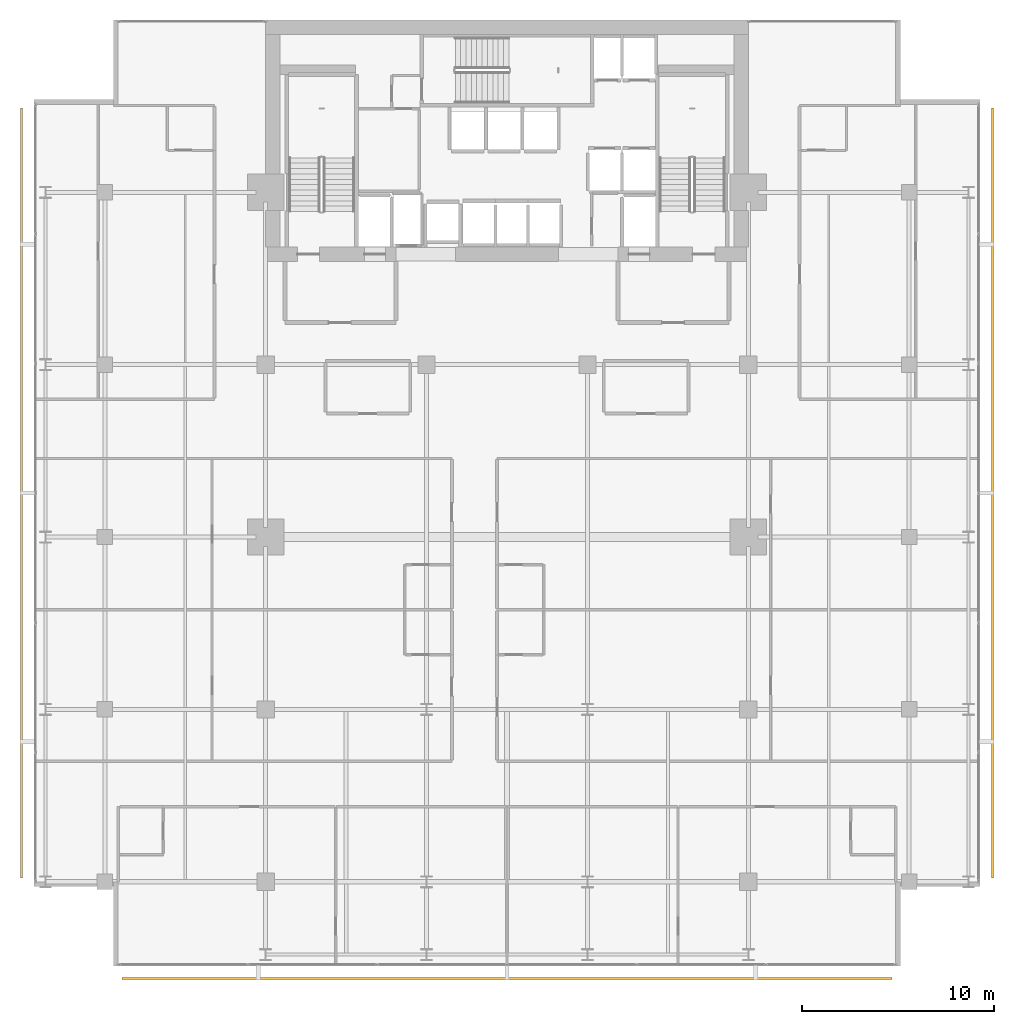
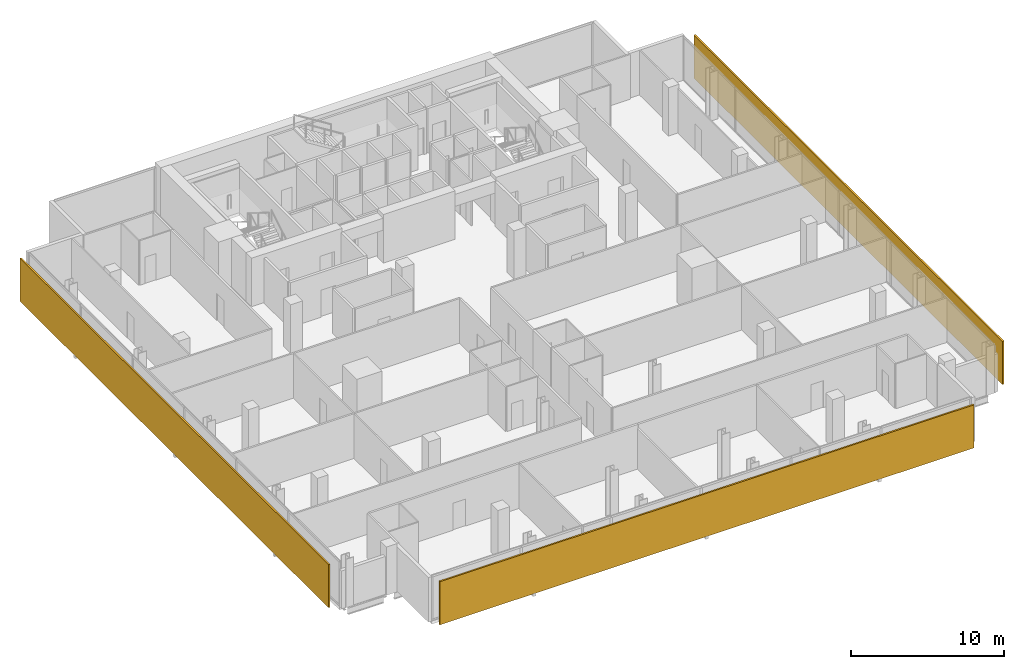
# One storey, part 31 of 32: 3 shading devices.
"""IFC4 building model written with IfcOpenShell, lengths in metres."""

import ifcopenshell
import ifcopenshell.guid

model = None  # the IFC model being written
_history = None  # IfcOwnerHistory: only IFC2X3 demands one
_inside = {}  # id of a spatial element -> (the spatial element, [elements in it])
_under = {}  # id of a project, library or spatial element -> (it, [spatial elements below it])
_declared = {}  # id of a project -> (the project, [libraries it declares])
_typed = {}  # id of a type object -> (the type object, [elements of that type])
_made_of = {}  # id of a material, layer set ... -> (it, [elements and type objects made of it])


def new_model(schema):
    """Start an empty IFC model of exactly this schema.

    Asked for "IFC4X3", IfcOpenShell would pick the latest addendum, in which some entities
    have other attributes; the version numbers below select the first issue.
    IFC2X3 requires an IfcOwnerHistory on every rooted entity: one is made here for all.
    """
    global model, _history
    if schema == "IFC4X3":
        model = ifcopenshell.file(schema_version=(4, 3, 0, 0))
    else:
        model = ifcopenshell.file(schema=schema)
    _inside.clear()
    _under.clear()
    _declared.clear()
    _typed.clear()
    _made_of.clear()
    _history = None
    if model.schema == "IFC2X3":
        org = make("IfcOrganization", Name="unknown")
        user = make(
            "IfcPersonAndOrganization",
            ThePerson=make("IfcPerson", FamilyName="unknown"),
            TheOrganization=org,
        )
        app = make(
            "IfcApplication",
            ApplicationDeveloper=org,
            Version="unknown",
            ApplicationFullName="unknown",
            ApplicationIdentifier="unknown",
        )
        _history = make(
            "IfcOwnerHistory",
            OwningUser=user,
            OwningApplication=app,
            ChangeAction="ADDED",
            CreationDate=0,
        )
    return model


def make(cls, **values):
    """One entity of the class cls with the attributes given. An attribute that is None is left unset."""
    return model.create_entity(
        cls, **{name: value for name, value in values.items() if value is not None}
    )


def rooted(cls, **values):
    """An entity with a GlobalId (a new one), such as an element, a storey or a relation."""
    return make(cls, GlobalId=ifcopenshell.guid.new(), OwnerHistory=_history, **values)


def si_unit(unit_type, name, prefix=None):
    """IfcSIUnit, for example si_unit("LENGTHUNIT", "METRE", prefix="MILLI")."""
    return make("IfcSIUnit", UnitType=unit_type, Prefix=prefix, Name=name)


def assignment(units):
    """IfcUnitAssignment: the units of a project."""
    return None if units is None else make("IfcUnitAssignment", Units=units)


def point(xyz):
    """IfcCartesianPoint."""
    return None if xyz is None else make("IfcCartesianPoint", Coordinates=xyz)


def direction(xyz):
    """IfcDirection."""
    return None if xyz is None else make("IfcDirection", DirectionRatios=xyz)


def frame(location, z_axis=None, x_axis=None):
    """IfcAxis2Placement3D, a coordinate frame: its origin and axes. An axis left out is left unset."""
    return make(
        "IfcAxis2Placement3D",
        Location=point(location),
        Axis=direction(z_axis),
        RefDirection=direction(x_axis),
    )


def frame_2d(location, x_axis=None):
    """IfcAxis2Placement2D, a coordinate frame in the plane: its origin and x axis."""
    return make(
        "IfcAxis2Placement2D", Location=point(location), RefDirection=direction(x_axis)
    )


def origin():
    """The frame at (0, 0, 0) with its axes left unset."""
    return frame((0.0, 0.0, 0.0))


def origin_2d():
    """The frame at (0, 0) in the plane with its x axis left unset."""
    return frame_2d((0.0, 0.0))


def place(relative_to, where):
    """IfcLocalPlacement: puts the frame where relative to a parent placement (None: the world)."""
    return make(
        "IfcLocalPlacement", PlacementRelTo=relative_to, RelativePlacement=where
    )


def context(
    kind, dimensions, precision=None, world=None, true_north=None, identifier=None
):
    """IfcGeometricRepresentationContext, for example the 3D "Model" context."""
    return make(
        "IfcGeometricRepresentationContext",
        ContextIdentifier=identifier,
        ContextType=kind,
        CoordinateSpaceDimension=dimensions,
        Precision=precision,
        WorldCoordinateSystem=world,
        TrueNorth=true_north,
    )


def subcontext(parent, identifier, kind, view, scale=None):
    """IfcGeometricRepresentationSubContext, for example "Body" below "Model"."""
    return make(
        "IfcGeometricRepresentationSubContext",
        ContextIdentifier=identifier,
        ContextType=kind,
        ParentContext=parent,
        TargetScale=scale,
        TargetView=view,
    )


def project(units=None, contexts=None):
    """IfcProject with its units and contexts."""
    return rooted(
        "IfcProject",
        Name="project",
        RepresentationContexts=contexts,
        UnitsInContext=assignment(units),
    )


def spatial(cls, under=None, at=None, **own):
    """A site, building, storey or space (cls), placed at a placement, below another one or the project."""
    s = rooted(cls, ObjectPlacement=at, **own)
    if under is not None:
        _under.setdefault(under.id(), (under, []))[1].append(s)
    return s


def profile(cls, at=None, kind="AREA", **sizes):
    """A parametric profile (cls). Its sizes go by their IFC names, for example OverallWidth=200.0."""
    return make(cls, ProfileType=kind, Position=at, **sizes)


def rectangle(**sizes):
    """IfcRectangleProfileDef."""
    return profile("IfcRectangleProfileDef", **sizes)


def extrude(swept, where, along, depth):
    """IfcExtrudedAreaSolid: the profile swept, set in the frame where, extruded along a direction by depth."""
    return make(
        "IfcExtrudedAreaSolid",
        SweptArea=swept,
        Position=where,
        ExtrudedDirection=direction(along),
        Depth=depth,
    )


def shape(context_of_items, identifier, shape_type, items):
    """IfcShapeRepresentation: the items that make up one representation, for example the "Body"."""
    return make(
        "IfcShapeRepresentation",
        ContextOfItems=context_of_items,
        RepresentationIdentifier=identifier,
        RepresentationType=shape_type,
        Items=items,
    )


def material(Name=None, Category=None):
    """IfcMaterial."""
    return make("IfcMaterial", Name=Name, Category=Category)


def layer(
    of_material, thickness, ventilated=None, Name=None, Category=None, Priority=None
):
    """IfcMaterialLayer: one layer of a wall or slab, of a material (None: an air gap)."""
    return make(
        "IfcMaterialLayer",
        Material=of_material,
        LayerThickness=thickness,
        IsVentilated=ventilated,
        Name=Name,
        Category=Category,
        Priority=Priority,
    )


def layer_set(layers, Name=None):
    """IfcMaterialLayerSet."""
    return make("IfcMaterialLayerSet", MaterialLayers=layers, LayerSetName=Name)


def made_of(thing, what):
    """Note that an element or type object is made of a material, layer set ...; save() writes the relation."""
    if what is not None:
        _made_of.setdefault(what.id(), (what, []))[1].append(thing)
    return thing


def type_object(cls, material=None, **own):
    """A type object (cls), such as IfcWallType, which elements share."""
    return made_of(rooted(cls, **own), material)


def element(
    cls,
    number,
    at=None,
    inside=None,
    cuts=None,
    type_object=None,
    material=None,
    context=None,
    identifier="Body",
    shape_type=None,
    held_by="IfcProductDefinitionShape",
    body=None,
    shapes=None,
    **own,
):
    """One element of the class cls, such as IfcWall. Its Tag is "e" and its number.

    at: its placement. inside: the storey or other place that contains it. cuts: it is an
    opening in that element (IfcRelVoidsElement). A single representation is given by context,
    identifier, shape_type and body (its items); several are given by shapes. held_by: the class
    of the entity that holds the representations. save() writes the other relations.
    """
    e = rooted(cls, Tag="e%d" % number, ObjectPlacement=at, **own)
    if body is not None:
        shapes = [shape(context, identifier, shape_type, body)]
    if shapes is not None:
        e.Representation = make(held_by, Representations=shapes)
    if inside is not None:
        _inside.setdefault(inside.id(), (inside, []))[1].append(e)
    if cuts is not None:
        rooted(
            "IfcRelVoidsElement", RelatingBuildingElement=cuts, RelatedOpeningElement=e
        )
    if type_object is not None:
        _typed.setdefault(type_object.id(), (type_object, []))[1].append(e)
    return made_of(e, material)


def aggregate(whole, parts):
    """IfcRelAggregates: a whole, such as a stair, and the parts it consists of."""
    return rooted("IfcRelAggregates", RelatingObject=whole, RelatedObjects=parts)


def save(model, path):
    """Write the relations noted so far, then the file.

    IfcRelAggregates (storeys below a building ...), IfcRelContainedInSpatialStructure (elements
    in a storey), IfcRelDefinesByType, IfcRelAssociatesMaterial and IfcRelDeclares: one each for
    every whole, place, type object, material and project.
    """
    for whole, parts in _under.values():
        aggregate(whole, parts)
    for where, things in _inside.values():
        rooted(
            "IfcRelContainedInSpatialStructure",
            RelatedElements=things,
            RelatingStructure=where,
        )
    for kind, things in _typed.values():
        rooted("IfcRelDefinesByType", RelatedObjects=things, RelatingType=kind)
    for what, things in _made_of.values():
        rooted("IfcRelAssociatesMaterial", RelatedObjects=things, RelatingMaterial=what)
    for by, libraries in _declared.values():
        rooted("IfcRelDeclares", RelatingContext=by, RelatedDefinitions=libraries)
    model.write(path)


model = new_model("IFC4")

# Units and contexts
model_context = context("Model", 3, precision=1e-05, world=origin(), true_north=direction((0.0, 1.0)))
body_context = subcontext(model_context, "Body", "Model", "MODEL_VIEW")
ifc_project = project(units=[si_unit("LENGTHUNIT", "METRE"), si_unit("AREAUNIT", "SQUARE_METRE"), si_unit("VOLUMEUNIT", "CUBIC_METRE"), si_unit("PLANEANGLEUNIT", "RADIAN"), si_unit("MASSUNIT", "GRAM", prefix="KILO")], contexts=[model_context])

# Site, building, storey
site_placement = place(None, origin())
site = spatial("IfcSite", under=ifc_project, at=site_placement, CompositionType="ELEMENT")
building_placement = place(site_placement, origin())
building = spatial("IfcBuilding", under=site, at=building_placement, Name="Maruvema Waterfront Hotel and Observation Tower", CompositionType="ELEMENT")
storey_placement = place(building_placement, frame((0.0, 0.0, 223.64990234375)))
storey = spatial("IfcBuildingStorey", under=building, at=storey_placement, Name="L55", CompositionType="ELEMENT", Elevation=223.64990234375)

# Shading devices
ifc_material = material(Name="Honed travertine stone and anodised architectural bronze", Category="masonry")
ifc_layer = layer(ifc_material, 0.1201171875, Name="Ventilated Outer Skin Cobogo Stone-and-Bronze Screen 120 mm")
ifc_layer_set = layer_set([ifc_layer], Name="Honed travertine stone and anodised architectural bronze")
shading_device_type = type_object("IfcShadingDeviceType", Name="Ventilated Outer Skin Cobogo Stone-and-Bronze Screen 120 mm", PredefinedType="USERDEFINED", material=ifc_layer_set)
for number, where, z_axis, x_axis, name in (
    (1, (37.800048828125, 3.949951171875, 0.06005859375), (0.0, 0.0, 1.0), (1.0, 0.0, 0.0), "L55 Ventilated Double-Skin Outer Cobogo Screen OS-L55-S"),
    (2, (63.14990234375, 29.300048828125, 0.06005859375), (0.0, 0.0, 1.0), (0.0, 1.0, 0.0), "L55 Ventilated Double-Skin Outer Cobogo Screen OS-L55-E"),
    (3, (12.449951171875, 29.300048828125, 0.06005859375), (0.0, 0.0, 1.0), (0.0, -1.0, 0.0), "L55 Ventilated Double-Skin Outer Cobogo Screen OS-L55-W"),
):
    element("IfcShadingDevice", number, at=place(storey_placement, frame(where, z_axis=z_axis, x_axis=x_axis)), inside=storey, type_object=shading_device_type, Name=name, ObjectType="OUTER SKIN SCREEN", PredefinedType="USERDEFINED", context=body_context, shape_type="SweptSolid", body=[
        extrude(rectangle(XDim=40.199951171875, YDim=0.1201171875, at=origin_2d()), origin(), (0.0, 0.0, 1.0), 3.429931640625),
    ])

save(model, "model.ifc")
